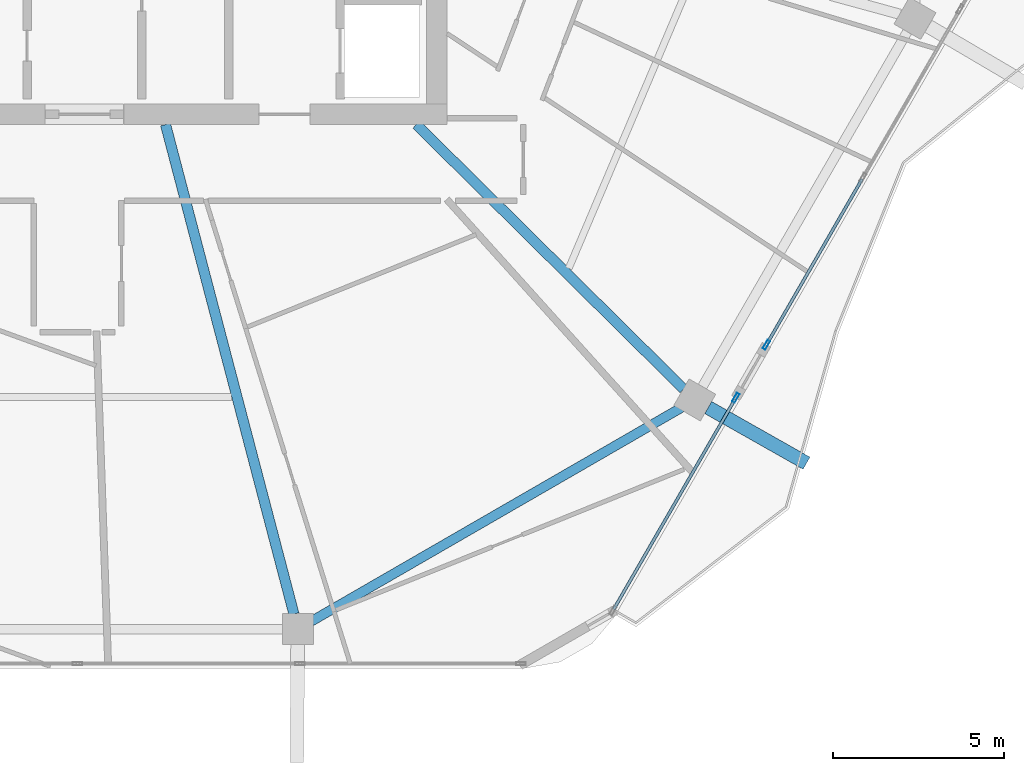
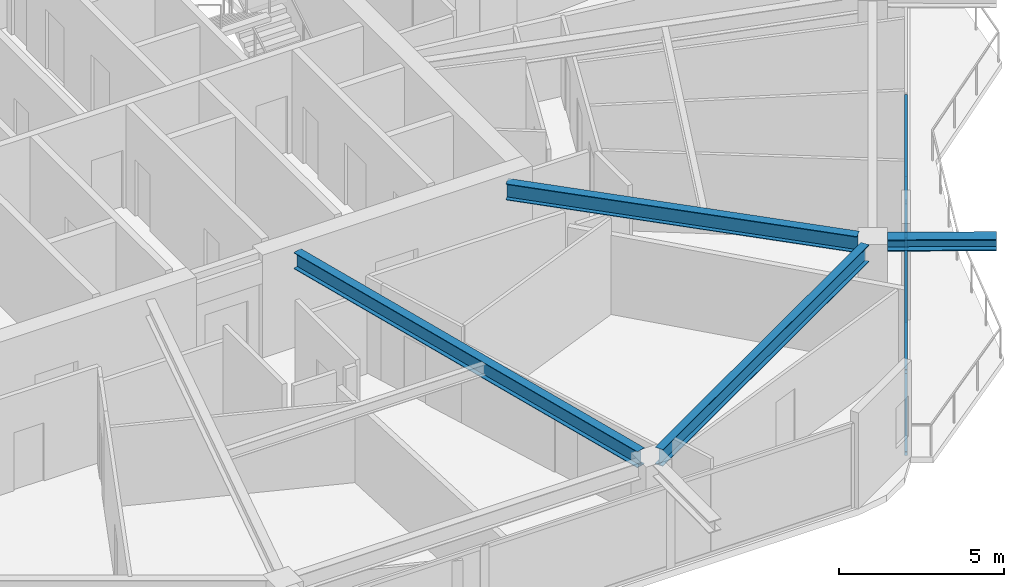
# One storey, part 8 of 25: 6 members, 4 beams, 2 elements without a shape of their own.
"""IFC4 building model written with IfcOpenShell, lengths in metres."""

from ifc_helpers import new_model, si_unit, direction, frame, origin, origin_2d, place, context, subcontext, project, spatial, hollow_rectangle, i_section, extrude, material, material_profile, profile_set, type_object, element, aggregate, save


model = new_model("IFC4")

# Units and contexts
model_context = context("Model", 3, precision=1e-05, world=origin(), true_north=direction((0.0, 1.0)))
body_context = subcontext(model_context, "Body", "Model", "MODEL_VIEW")
ifc_project = project(units=[si_unit("LENGTHUNIT", "METRE"), si_unit("AREAUNIT", "SQUARE_METRE"), si_unit("VOLUMEUNIT", "CUBIC_METRE"), si_unit("PLANEANGLEUNIT", "RADIAN"), si_unit("MASSUNIT", "GRAM", prefix="KILO")], contexts=[model_context])

# Site, building, storey
site_placement = place(None, origin())
site = spatial("IfcSite", under=ifc_project, at=site_placement, CompositionType="ELEMENT")
building_placement = place(site_placement, origin())
building = spatial("IfcBuilding", under=site, at=building_placement, Name="Zuhravey Tower", CompositionType="ELEMENT")
storey_placement = place(building_placement, frame((0.0, 0.0, 235.0)))
storey = spatial("IfcBuildingStorey", under=building, at=storey_placement, Name="L59", CompositionType="ELEMENT", Elevation=235.0)

# Curtain wall, member
ifc_material_1 = material(Name="Thermally broken anodised aluminium", Category="aluminium")
curtain_wall_type = type_object("IfcCurtainWallType", Name="Zone 3-4 High-Rise Curtain Wall CW4", PredefinedType="NOTDEFINED", material=ifc_material_1)
curtain_wall_1_placement = place(storey_placement, origin())
curtain_wall_1 = element("IfcCurtainWall", 1, at=curtain_wall_1_placement, inside=storey, type_object=curtain_wall_type, Name="L59 CW4 CW-L59-F6-1", PredefinedType="NOTDEFINED")
ifc_material_2 = material(Name="Anodised aluminium", Category="aluminium")
ifc_material_profile_1 = material_profile(ifc_material_2, hollow_rectangle(XDim=0.090087890625, YDim=0.284912109375, WallThickness=0.0048828125, at=origin_2d()), Name="ALU-RHS-90x285x5")
ifc_profile_set_1 = profile_set([ifc_material_profile_1], Name="Anodised aluminium")
member_type_1 = type_object("IfcMemberType", Name="Curtain-Wall Mullion 90x180", PredefinedType="MULLION", material=ifc_profile_set_1)
member_1_placement = place(storey_placement, frame((56.139892578125, 15.756103515625, 0.0), z_axis=(0.0, 0.0, 1.0), x_axis=(0.866023796192, -0.500002784421, 0.0)))
member_1 = element("IfcMember", 2, at=member_1_placement, type_object=member_type_1, Name="CW4 mullion 4", PredefinedType="MULLION", context=body_context, shape_type="SweptSolid", body=[
    extrude(hollow_rectangle(XDim=0.090087890625, YDim=0.284912109375, WallThickness=0.0048828125, at=origin_2d()), origin(), (0.0, 0.0, 1.0), 3.1220703125),
])

curtain_wall_2_placement = place(storey_placement, origin())
curtain_wall_2 = element("IfcCurtainWall", 3, at=curtain_wall_2_placement, inside=storey, type_object=curtain_wall_type, Name="L59 CW4 CW-L59-F6-2", PredefinedType="NOTDEFINED")
member_2_placement = place(storey_placement, frame((55.244873046875, 14.205810546875, 0.0), z_axis=(0.0, 0.0, 1.0), x_axis=(0.866025242656, -0.500000279083, 0.0)))
member_2 = element("IfcMember", 4, at=member_2_placement, type_object=member_type_1, Name="CW4 mullion 1", PredefinedType="MULLION", context=body_context, shape_type="SweptSolid", body=[
    extrude(hollow_rectangle(XDim=0.090087890625, YDim=0.284912109375, WallThickness=0.0048828125, at=origin_2d()), origin(), (0.0, 0.0, 1.0), 3.1220703125),
])

# Member
ifc_material_profile_2 = material_profile(ifc_material_2, hollow_rectangle(XDim=0.090087890625, YDim=0.14990234375, WallThickness=0.0048828125, at=origin_2d()), Name="ALU-RHS-90x150x5")
ifc_profile_set_2 = profile_set([ifc_material_profile_2], Name="Anodised aluminium")
member_type_2 = type_object("IfcMemberType", Name="Curtain-Wall Transom 90x150", PredefinedType="USERDEFINED", material=ifc_profile_set_2)
member_3_placement = place(storey_placement, frame((58.9375, 20.6015625, 0.044921875), z_axis=(-0.500023267281, -0.866011969997, 0.0), x_axis=(0.866011969997, -0.500023267281, 0.0)))
member_3 = element("IfcMember", 5, at=member_3_placement, type_object=member_type_2, Name="CW4 transom 3.1", ObjectType="TRANSOM", PredefinedType="USERDEFINED", context=body_context, shape_type="SweptSolid", body=[
    extrude(hollow_rectangle(XDim=0.090087890625, YDim=0.14990234375, WallThickness=0.0048828125, at=origin_2d()), origin(), (0.0, 0.0, 1.0), 5.550048828125),
])

member_4_placement = place(storey_placement, frame((58.9375, 20.6015625, 3.076904296875), z_axis=(-0.500023267281, -0.866011969997, 0.0), x_axis=(0.866011969997, -0.500023267281, 0.0)))
member_4 = element("IfcMember", 6, at=member_4_placement, type_object=member_type_2, Name="CW4 transom 3.2", ObjectType="TRANSOM", PredefinedType="USERDEFINED", context=body_context, shape_type="SweptSolid", body=[
    extrude(hollow_rectangle(XDim=0.090087890625, YDim=0.14990234375, WallThickness=0.0048828125, at=origin_2d()), origin(), (0.0, 0.0, 1.0), 5.550048828125),
])

aggregate(curtain_wall_1, [member_1, member_3, member_4])

member_5_placement = place(storey_placement, frame((55.222412109375, 14.1669921875, 0.044921875), z_axis=(-0.499990721473, -0.866030760678, 0.0), x_axis=(0.866030760678, -0.499990721473, 0.0)))
member_5 = element("IfcMember", 7, at=member_5_placement, type_object=member_type_2, Name="CW4 transom 1.1", ObjectType="TRANSOM", PredefinedType="USERDEFINED", context=body_context, shape_type="SweptSolid", body=[
    extrude(hollow_rectangle(XDim=0.090087890625, YDim=0.14990234375, WallThickness=0.0048828125, at=origin_2d()), origin(), (0.0, 0.0, 1.0), 7.090087890625),
])

member_6_placement = place(storey_placement, frame((55.222412109375, 14.1669921875, 3.076904296875), z_axis=(-0.499990721473, -0.866030760678, 0.0), x_axis=(0.866030760678, -0.499990721473, 0.0)))
member_6 = element("IfcMember", 8, at=member_6_placement, type_object=member_type_2, Name="CW4 transom 1.2", ObjectType="TRANSOM", PredefinedType="USERDEFINED", context=body_context, shape_type="SweptSolid", body=[
    extrude(hollow_rectangle(XDim=0.090087890625, YDim=0.14990234375, WallThickness=0.0048828125, at=origin_2d()), origin(), (0.0, 0.0, 1.0), 7.090087890625),
])

aggregate(curtain_wall_2, [member_2, member_5, member_6])

# Beams
ifc_material_3 = material(Name="Steel SM460", Category="steel")
ifc_material_profile_3 = material_profile(ifc_material_3, i_section(OverallWidth=0.406982421875, OverallDepth=0.427978515625, WebThickness=0.02001953125, FlangeThickness=0.034912109375, at=origin_2d()), Name="H-428x407x20x35")
ifc_profile_set_3 = profile_set([ifc_material_profile_3], Name="Steel SM460")
beam_type_1 = type_object("IfcBeamType", Name="Exoskeleton Node Tie Beam H428x407", PredefinedType="BEAM", material=ifc_profile_set_3)
beam_1_placement = place(storey_placement, frame((54.438720703125, 13.921875, 3.3359375), z_axis=(0.870374073409, -0.492391076622, 0.0), x_axis=(0.492391076622, 0.870374073409, 0.0)))
element("IfcBeam", 9, at=beam_1_placement, inside=storey, type_object=beam_type_1, Name="L59 Exoskeleton Node Tie NT1-11", PredefinedType="BEAM", context=body_context, shape_type="SweptSolid", body=[
    extrude(i_section(OverallWidth=0.406982421875, OverallDepth=0.427978515625, WebThickness=0.02001953125, FlangeThickness=0.034912109375, at=origin_2d()), origin(), (0.0, 0.0, 1.0), 3.30126953125),
])
ifc_material_4 = material(Name="Steel SM355", Category="steel")
ifc_material_profile_4 = material_profile(ifc_material_4, i_section(OverallWidth=0.280029296875, OverallDepth=0.6201171875, WebThickness=0.011962890625, FlangeThickness=0.02001953125, at=origin_2d()), Name="H-620x280x12x20")
ifc_profile_set_4 = profile_set([ifc_material_profile_4], Name="Steel SM355")
beam_type_2 = type_object("IfcBeamType", Name="Perimeter Ring Beam H620x280", PredefinedType="BEAM", material=ifc_profile_set_4)
beam_2_placement = place(storey_placement, frame((42.833251953125, 7.6728515625, 3.239990234375), z_axis=(0.866025131093, 0.500000472315, 0.0), x_axis=(-0.500000472315, 0.866025131093, 0.0)))
element("IfcBeam", 10, at=beam_2_placement, inside=storey, type_object=beam_type_2, Name="L59 PB3 BM-L59-PB-10", PredefinedType="BEAM", context=body_context, shape_type="SweptSolid", body=[
    extrude(i_section(OverallWidth=0.280029296875, OverallDepth=0.6201171875, WebThickness=0.011962890625, FlangeThickness=0.02001953125, at=origin_2d()), origin(), (0.0, 0.0, 1.0), 12.49169921875),
])
ifc_material_profile_5 = material_profile(ifc_material_4, i_section(OverallWidth=0.300048828125, OverallDepth=0.60009765625, WebThickness=0.011962890625, FlangeThickness=0.02001953125, at=origin_2d()), Name="H-600x300x12x20")
ifc_profile_set_5 = profile_set([ifc_material_profile_5], Name="Steel SM355")
beam_type_3 = type_object("IfcBeamType", Name="Radial Primary Girder H600x300", PredefinedType="BEAM", material=ifc_profile_set_5)
beam_3_placement = place(storey_placement, frame((38.571533203125, 22.197021484375, 3.25), z_axis=(0.253731415841, -0.967274712073, 0.0), x_axis=(0.967274712073, 0.253731415841, 0.0)))
element("IfcBeam", 11, at=beam_3_placement, inside=storey, type_object=beam_type_3, Name="L59 RG3 BM-L59-RAD-10", PredefinedType="BEAM", context=body_context, shape_type="SweptSolid", body=[
    extrude(i_section(OverallWidth=0.300048828125, OverallDepth=0.60009765625, WebThickness=0.011962890625, FlangeThickness=0.02001953125, at=origin_2d()), origin(), (0.0, 0.0, 1.0), 14.796630859375),
])
beam_4_placement = place(storey_placement, frame((45.90673828125, 22.197021484375, 3.25), z_axis=(0.710816516282, -0.703377480576, 0.0), x_axis=(0.703377480576, 0.710816516282, 0.0)))
element("IfcBeam", 12, at=beam_4_placement, inside=storey, type_object=beam_type_3, Name="L59 RG3 BM-L59-RAD-11", PredefinedType="BEAM", context=body_context, shape_type="SweptSolid", body=[
    extrude(i_section(OverallWidth=0.300048828125, OverallDepth=0.60009765625, WebThickness=0.011962890625, FlangeThickness=0.02001953125, at=origin_2d()), origin(), (0.0, 0.0, 1.0), 10.994384765625),
])

save(model, "model.ifc")
